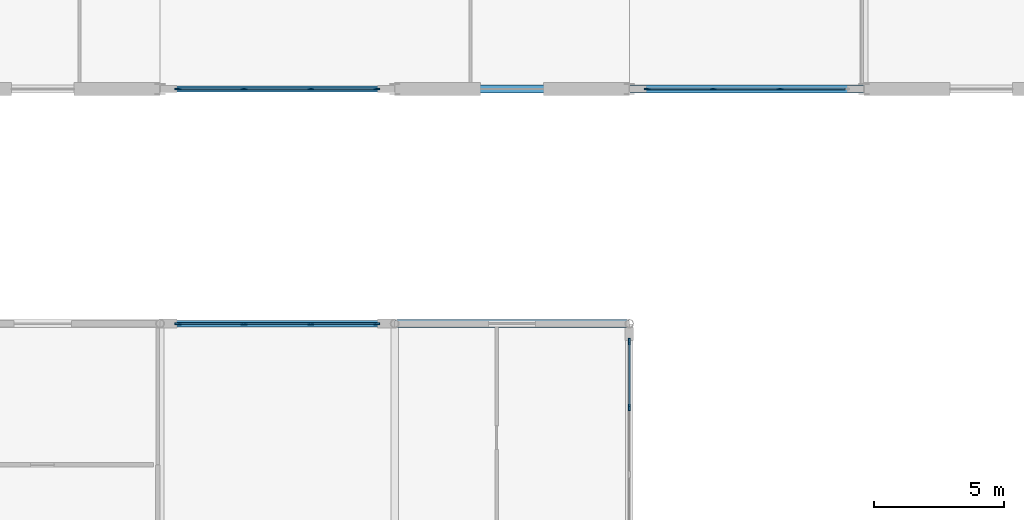
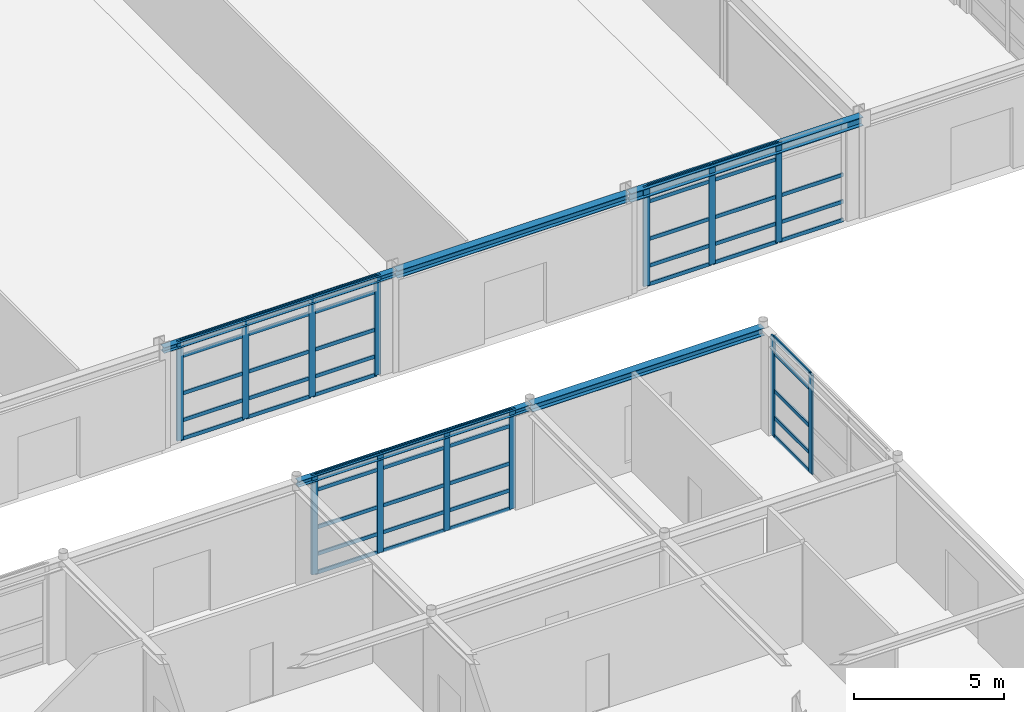
# One storey, part 43 of 72: 61 members, 5 beams, 4 elements without a shape of their own.
"""IFC4 building model written with IfcOpenShell, lengths in metres."""

from ifc_helpers import new_model, si_unit, direction, frame, origin, origin_2d, place, context, subcontext, project, spatial, rectangle, i_section, extrude, material, material_profile, profile_set, type_object, element, aggregate, save


model = new_model("IFC4")

# Units and contexts
model_context = context("Model", 3, precision=1e-05, world=origin(), true_north=direction((0.0, 1.0)))
body_context = subcontext(model_context, "Body", "Model", "MODEL_VIEW")
ifc_project = project(units=[si_unit("LENGTHUNIT", "METRE"), si_unit("AREAUNIT", "SQUARE_METRE"), si_unit("VOLUMEUNIT", "CUBIC_METRE"), si_unit("PLANEANGLEUNIT", "RADIAN"), si_unit("MASSUNIT", "GRAM", prefix="KILO")], contexts=[model_context])

# Site, building, storey
site_placement = place(None, origin())
site = spatial("IfcSite", under=ifc_project, at=site_placement, CompositionType="ELEMENT")
building_placement = place(site_placement, origin())
building = spatial("IfcBuilding", under=site, at=building_placement, Name="Palais des Congres Ocreval", CompositionType="ELEMENT")
storey_placement = place(building_placement, origin())
storey = spatial("IfcBuildingStorey", under=building, at=storey_placement, Name="L00", CompositionType="ELEMENT", Elevation=0.0)

# Curtain wall, members
ifc_material_1 = material(Name="Anodized bronze aluminium and low-E glass", Category="glass")
curtain_wall_type = type_object("IfcCurtainWallType", Name="Unitised Curtain Wall 7900x4060", PredefinedType="USERDEFINED", material=ifc_material_1)
curtain_wall_1_placement = place(storey_placement, origin())
curtain_wall_1 = element("IfcCurtainWall", 1, at=curtain_wall_1_placement, inside=storey, type_object=curtain_wall_type, Name="Unitised Curtain Wall CW01 L00", ObjectType="UNITISED CURTAIN WALL", PredefinedType="USERDEFINED")
ifc_material_2 = material(Name="Anodized bronze aluminium", Category="aluminium")
ifc_material_profile_1 = material_profile(ifc_material_2, rectangle(XDim=0.074951171875, YDim=0.239990234375, at=origin_2d()), Name="ALU 75x240")
ifc_profile_set_1 = profile_set([ifc_material_profile_1], Name="Anodized bronze aluminium")
member_type_1 = type_object("IfcMemberType", Name="Curtain Wall Mullion ALU 75x240", PredefinedType="MULLION", material=ifc_profile_set_1)
member_1_placement = place(storey_placement, frame((149.783203125, 72.0, 0.0), z_axis=(0.0, 0.0, 1.0), x_axis=(0.0, -1.0, 0.0)))
member_1 = element("IfcMember", 2, at=member_1_placement, type_object=member_type_1, Name="Curtain Wall Mullion ML01", PredefinedType="MULLION", context=body_context, shape_type="SweptSolid", body=[
    extrude(rectangle(XDim=0.074951171875, YDim=0.239990234375, at=origin_2d()), origin(), (0.0, 0.0, 1.0), 4.054931640625),
])
member_2_placement = place(storey_placement, frame((147.216796875, 72.0, 0.0), z_axis=(0.0, 0.0, 1.0), x_axis=(0.0, -1.0, 0.0)))
member_2 = element("IfcMember", 3, at=member_2_placement, type_object=member_type_1, Name="Curtain Wall Mullion ML01", PredefinedType="MULLION", context=body_context, shape_type="SweptSolid", body=[
    extrude(rectangle(XDim=0.074951171875, YDim=0.239990234375, at=origin_2d()), origin(), (0.0, 0.0, 1.0), 4.054931640625),
])
member_3_placement = place(storey_placement, frame((144.6875, 72.0, 0.0), z_axis=(0.0, 0.0, 1.0), x_axis=(0.0, -1.0, 0.0)))
member_3 = element("IfcMember", 4, at=member_3_placement, type_object=member_type_1, Name="Curtain Wall Mullion ML01", PredefinedType="MULLION", context=body_context, shape_type="SweptSolid", body=[
    extrude(rectangle(XDim=0.074951171875, YDim=0.239990234375, at=origin_2d()), origin(), (0.0, 0.0, 1.0), 4.054931640625),
])

curtain_wall_2_placement = place(storey_placement, origin())
curtain_wall_2 = element("IfcCurtainWall", 5, at=curtain_wall_2_placement, inside=storey, type_object=curtain_wall_type, Name="Unitised Curtain Wall CW01 L00", ObjectType="UNITISED CURTAIN WALL", PredefinedType="USERDEFINED")
member_4_placement = place(storey_placement, frame((134.3125, 72.0, 0.0), z_axis=(0.0, 0.0, 1.0), x_axis=(0.0, -1.0, 0.0)))
member_4 = element("IfcMember", 6, at=member_4_placement, type_object=member_type_1, Name="Curtain Wall Mullion ML01", PredefinedType="MULLION", context=body_context, shape_type="SweptSolid", body=[
    extrude(rectangle(XDim=0.074951171875, YDim=0.239990234375, at=origin_2d()), origin(), (0.0, 0.0, 1.0), 4.054931640625),
])
member_5_placement = place(storey_placement, frame((131.783203125, 72.0, 0.0), z_axis=(0.0, 0.0, 1.0), x_axis=(0.0, -1.0, 0.0)))
member_5 = element("IfcMember", 7, at=member_5_placement, type_object=member_type_1, Name="Curtain Wall Mullion ML01", PredefinedType="MULLION", context=body_context, shape_type="SweptSolid", body=[
    extrude(rectangle(XDim=0.074951171875, YDim=0.239990234375, at=origin_2d()), origin(), (0.0, 0.0, 1.0), 4.054931640625),
])
member_6_placement = place(storey_placement, frame((129.216796875, 72.0, 0.0), z_axis=(0.0, 0.0, 1.0), x_axis=(0.0, -1.0, 0.0)))
member_6 = element("IfcMember", 8, at=member_6_placement, type_object=member_type_1, Name="Curtain Wall Mullion ML01", PredefinedType="MULLION", context=body_context, shape_type="SweptSolid", body=[
    extrude(rectangle(XDim=0.074951171875, YDim=0.239990234375, at=origin_2d()), origin(), (0.0, 0.0, 1.0), 4.054931640625),
])
member_7_placement = place(storey_placement, frame((126.6875, 72.0, 0.0), z_axis=(0.0, 0.0, 1.0), x_axis=(0.0, -1.0, 0.0)))
member_7 = element("IfcMember", 9, at=member_7_placement, type_object=member_type_1, Name="Curtain Wall Mullion ML01", PredefinedType="MULLION", context=body_context, shape_type="SweptSolid", body=[
    extrude(rectangle(XDim=0.074951171875, YDim=0.239990234375, at=origin_2d()), origin(), (0.0, 0.0, 1.0), 4.054931640625),
])

curtain_wall_3_placement = place(storey_placement, origin())
curtain_wall_3 = element("IfcCurtainWall", 10, at=curtain_wall_3_placement, inside=storey, type_object=curtain_wall_type, Name="Unitised Curtain Wall CW01 L00", ObjectType="UNITISED CURTAIN WALL", PredefinedType="USERDEFINED")
member_8_placement = place(storey_placement, frame((126.6875, 63.0, 0.0), z_axis=(0.0, 0.0, 1.0), x_axis=(0.0, 1.0, 0.0)))
member_8 = element("IfcMember", 11, at=member_8_placement, type_object=member_type_1, Name="Curtain Wall Mullion ML01", PredefinedType="MULLION", context=body_context, shape_type="SweptSolid", body=[
    extrude(rectangle(XDim=0.074951171875, YDim=0.239990234375, at=origin_2d()), origin(), (0.0, 0.0, 1.0), 4.054931640625),
])
member_9_placement = place(storey_placement, frame((129.216796875, 63.0, 0.0), z_axis=(0.0, 0.0, 1.0), x_axis=(0.0, 1.0, 0.0)))
member_9 = element("IfcMember", 12, at=member_9_placement, type_object=member_type_1, Name="Curtain Wall Mullion ML01", PredefinedType="MULLION", context=body_context, shape_type="SweptSolid", body=[
    extrude(rectangle(XDim=0.074951171875, YDim=0.239990234375, at=origin_2d()), origin(), (0.0, 0.0, 1.0), 4.054931640625),
])
member_10_placement = place(storey_placement, frame((131.783203125, 63.0, 0.0), z_axis=(0.0, 0.0, 1.0), x_axis=(0.0, 1.0, 0.0)))
member_10 = element("IfcMember", 13, at=member_10_placement, type_object=member_type_1, Name="Curtain Wall Mullion ML01", PredefinedType="MULLION", context=body_context, shape_type="SweptSolid", body=[
    extrude(rectangle(XDim=0.074951171875, YDim=0.239990234375, at=origin_2d()), origin(), (0.0, 0.0, 1.0), 4.054931640625),
])
member_11_placement = place(storey_placement, frame((134.3125, 63.0, 0.0), z_axis=(0.0, 0.0, 1.0), x_axis=(0.0, 1.0, 0.0)))
member_11 = element("IfcMember", 14, at=member_11_placement, type_object=member_type_1, Name="Curtain Wall Mullion ML01", PredefinedType="MULLION", context=body_context, shape_type="SweptSolid", body=[
    extrude(rectangle(XDim=0.074951171875, YDim=0.239990234375, at=origin_2d()), origin(), (0.0, 0.0, 1.0), 4.054931640625),
])

curtain_wall_4_placement = place(storey_placement, origin())
curtain_wall_4 = element("IfcCurtainWall", 15, at=curtain_wall_4_placement, inside=storey, type_object=curtain_wall_type, Name="Unitised Curtain Wall CW01 L00", ObjectType="UNITISED CURTAIN WALL", PredefinedType="USERDEFINED")
member_12_placement = place(storey_placement, frame((144.0, 62.3125, 0.0), z_axis=(0.0, 0.0, 1.0), x_axis=(1.0, 0.0, 0.0)))
member_12 = element("IfcMember", 16, at=member_12_placement, type_object=member_type_1, Name="Curtain Wall Mullion ML01", PredefinedType="MULLION", context=body_context, shape_type="SweptSolid", body=[
    extrude(rectangle(XDim=0.074951171875, YDim=0.239990234375, at=origin_2d()), origin(), (0.0, 0.0, 1.0), 4.054931640625),
])
member_13_placement = place(storey_placement, frame((144.0, 59.783203125, 0.0), z_axis=(0.0, 0.0, 1.0), x_axis=(1.0, 0.0, 0.0)))
member_13 = element("IfcMember", 17, at=member_13_placement, type_object=member_type_1, Name="Curtain Wall Mullion ML01", PredefinedType="MULLION", context=body_context, shape_type="SweptSolid", body=[
    extrude(rectangle(XDim=0.074951171875, YDim=0.239990234375, at=origin_2d()), origin(), (0.0, 0.0, 1.0), 4.054931640625),
])

# Member
ifc_material_profile_2 = material_profile(ifc_material_2, rectangle(XDim=0.06005859375, YDim=0.14990234375, at=origin_2d()), Name="ALU 60x150")
ifc_profile_set_2 = profile_set([ifc_material_profile_2], Name="Anodized bronze aluminium")
member_type_2 = type_object("IfcMemberType", Name="Curtain Wall Transom ALU 60x150", PredefinedType="USERDEFINED", material=ifc_profile_set_2)
member_14_placement = place(storey_placement, frame((152.27490234375, 72.0, 0.030029296875), z_axis=(-1.0, 0.0, 0.0), x_axis=(0.0, -1.0, 0.0)))
member_14 = element("IfcMember", 18, at=member_14_placement, type_object=member_type_2, Name="Curtain Wall Transom TR01", ObjectType="TRANSOM", PredefinedType="USERDEFINED", context=body_context, shape_type="SweptSolid", body=[
    extrude(rectangle(XDim=0.06005859375, YDim=0.14990234375, at=origin_2d()), origin(), (0.0, 0.0, 1.0), 2.4541015625),
])

member_15_placement = place(storey_placement, frame((152.27490234375, 72.0, 0.780029296875), z_axis=(-1.0, 0.0, 0.0), x_axis=(0.0, -1.0, 0.0)))
member_15 = element("IfcMember", 19, at=member_15_placement, type_object=member_type_2, Name="Curtain Wall Transom TR01", ObjectType="TRANSOM", PredefinedType="USERDEFINED", context=body_context, shape_type="SweptSolid", body=[
    extrude(rectangle(XDim=0.06005859375, YDim=0.14990234375, at=origin_2d()), origin(), (0.0, 0.0, 1.0), 2.4541015625),
])

member_16_placement = place(storey_placement, frame((152.27490234375, 72.0, 1.872802734375), z_axis=(-1.0, 0.0, 0.0), x_axis=(0.0, -1.0, 0.0)))
member_16 = element("IfcMember", 20, at=member_16_placement, type_object=member_type_2, Name="Curtain Wall Transom TR01", ObjectType="TRANSOM", PredefinedType="USERDEFINED", context=body_context, shape_type="SweptSolid", body=[
    extrude(rectangle(XDim=0.06005859375, YDim=0.14990234375, at=origin_2d()), origin(), (0.0, 0.0, 1.0), 2.4541015625),
])

member_17_placement = place(storey_placement, frame((149.745849609375, 72.0, 0.030029296875), z_axis=(-1.0, 0.0, 0.0), x_axis=(0.0, -1.0, 0.0)))
member_17 = element("IfcMember", 21, at=member_17_placement, type_object=member_type_2, Name="Curtain Wall Transom TR01", ObjectType="TRANSOM", PredefinedType="USERDEFINED", context=body_context, shape_type="SweptSolid", body=[
    extrude(rectangle(XDim=0.06005859375, YDim=0.14990234375, at=origin_2d()), origin(), (0.0, 0.0, 1.0), 2.49169921875),
])

member_18_placement = place(storey_placement, frame((149.745849609375, 72.0, 0.780029296875), z_axis=(-1.0, 0.0, 0.0), x_axis=(0.0, -1.0, 0.0)))
member_18 = element("IfcMember", 22, at=member_18_placement, type_object=member_type_2, Name="Curtain Wall Transom TR01", ObjectType="TRANSOM", PredefinedType="USERDEFINED", context=body_context, shape_type="SweptSolid", body=[
    extrude(rectangle(XDim=0.06005859375, YDim=0.14990234375, at=origin_2d()), origin(), (0.0, 0.0, 1.0), 2.49169921875),
])

member_19_placement = place(storey_placement, frame((149.745849609375, 72.0, 1.872802734375), z_axis=(-1.0, 0.0, 0.0), x_axis=(0.0, -1.0, 0.0)))
member_19 = element("IfcMember", 23, at=member_19_placement, type_object=member_type_2, Name="Curtain Wall Transom TR01", ObjectType="TRANSOM", PredefinedType="USERDEFINED", context=body_context, shape_type="SweptSolid", body=[
    extrude(rectangle(XDim=0.06005859375, YDim=0.14990234375, at=origin_2d()), origin(), (0.0, 0.0, 1.0), 2.49169921875),
])

member_20_placement = place(storey_placement, frame((149.745849609375, 72.0, 3.405029296875), z_axis=(-1.0, 0.0, 0.0), x_axis=(0.0, -1.0, 0.0)))
member_20 = element("IfcMember", 24, at=member_20_placement, type_object=member_type_2, Name="Curtain Wall Transom TR01", ObjectType="TRANSOM", PredefinedType="USERDEFINED", context=body_context, shape_type="SweptSolid", body=[
    extrude(rectangle(XDim=0.06005859375, YDim=0.14990234375, at=origin_2d()), origin(), (0.0, 0.0, 1.0), 2.49169921875),
])

member_21_placement = place(storey_placement, frame((149.745849609375, 72.0, 4.02490234375), z_axis=(-1.0, 0.0, 0.0), x_axis=(0.0, -1.0, 0.0)))
member_21 = element("IfcMember", 25, at=member_21_placement, type_object=member_type_2, Name="Curtain Wall Transom TR01", ObjectType="TRANSOM", PredefinedType="USERDEFINED", context=body_context, shape_type="SweptSolid", body=[
    extrude(rectangle(XDim=0.06005859375, YDim=0.14990234375, at=origin_2d()), origin(), (0.0, 0.0, 1.0), 2.49169921875),
])

member_22_placement = place(storey_placement, frame((147.17919921875, 72.0, 0.030029296875), z_axis=(-1.0, 0.0, 0.0), x_axis=(0.0, -1.0, 0.0)))
member_22 = element("IfcMember", 26, at=member_22_placement, type_object=member_type_2, Name="Curtain Wall Transom TR01", ObjectType="TRANSOM", PredefinedType="USERDEFINED", context=body_context, shape_type="SweptSolid", body=[
    extrude(rectangle(XDim=0.06005859375, YDim=0.14990234375, at=origin_2d()), origin(), (0.0, 0.0, 1.0), 2.4541015625),
])

member_23_placement = place(storey_placement, frame((147.17919921875, 72.0, 0.780029296875), z_axis=(-1.0, 0.0, 0.0), x_axis=(0.0, -1.0, 0.0)))
member_23 = element("IfcMember", 27, at=member_23_placement, type_object=member_type_2, Name="Curtain Wall Transom TR01", ObjectType="TRANSOM", PredefinedType="USERDEFINED", context=body_context, shape_type="SweptSolid", body=[
    extrude(rectangle(XDim=0.06005859375, YDim=0.14990234375, at=origin_2d()), origin(), (0.0, 0.0, 1.0), 2.4541015625),
])

member_24_placement = place(storey_placement, frame((147.17919921875, 72.0, 1.872802734375), z_axis=(-1.0, 0.0, 0.0), x_axis=(0.0, -1.0, 0.0)))
member_24 = element("IfcMember", 28, at=member_24_placement, type_object=member_type_2, Name="Curtain Wall Transom TR01", ObjectType="TRANSOM", PredefinedType="USERDEFINED", context=body_context, shape_type="SweptSolid", body=[
    extrude(rectangle(XDim=0.06005859375, YDim=0.14990234375, at=origin_2d()), origin(), (0.0, 0.0, 1.0), 2.4541015625),
])

member_25_placement = place(storey_placement, frame((147.17919921875, 72.0, 3.405029296875), z_axis=(-1.0, 0.0, 0.0), x_axis=(0.0, -1.0, 0.0)))
member_25 = element("IfcMember", 29, at=member_25_placement, type_object=member_type_2, Name="Curtain Wall Transom TR01", ObjectType="TRANSOM", PredefinedType="USERDEFINED", context=body_context, shape_type="SweptSolid", body=[
    extrude(rectangle(XDim=0.06005859375, YDim=0.14990234375, at=origin_2d()), origin(), (0.0, 0.0, 1.0), 2.4541015625),
])

member_26_placement = place(storey_placement, frame((147.17919921875, 72.0, 4.02490234375), z_axis=(-1.0, 0.0, 0.0), x_axis=(0.0, -1.0, 0.0)))
member_26 = element("IfcMember", 30, at=member_26_placement, type_object=member_type_2, Name="Curtain Wall Transom TR01", ObjectType="TRANSOM", PredefinedType="USERDEFINED", context=body_context, shape_type="SweptSolid", body=[
    extrude(rectangle(XDim=0.06005859375, YDim=0.14990234375, at=origin_2d()), origin(), (0.0, 0.0, 1.0), 2.4541015625),
])

aggregate(curtain_wall_1, [member_1, member_2, member_3, member_14, member_15, member_16, member_17, member_18, member_19, member_20, member_21, member_22, member_23, member_24, member_25, member_26])

member_27_placement = place(storey_placement, frame((134.27490234375, 72.0, 0.030029296875), z_axis=(-1.0, 0.0, 0.0), x_axis=(0.0, -1.0, 0.0)))
member_27 = element("IfcMember", 31, at=member_27_placement, type_object=member_type_2, Name="Curtain Wall Transom TR01", ObjectType="TRANSOM", PredefinedType="USERDEFINED", context=body_context, shape_type="SweptSolid", body=[
    extrude(rectangle(XDim=0.06005859375, YDim=0.14990234375, at=origin_2d()), origin(), (0.0, 0.0, 1.0), 2.4541015625),
])

member_28_placement = place(storey_placement, frame((134.27490234375, 72.0, 0.780029296875), z_axis=(-1.0, 0.0, 0.0), x_axis=(0.0, -1.0, 0.0)))
member_28 = element("IfcMember", 32, at=member_28_placement, type_object=member_type_2, Name="Curtain Wall Transom TR01", ObjectType="TRANSOM", PredefinedType="USERDEFINED", context=body_context, shape_type="SweptSolid", body=[
    extrude(rectangle(XDim=0.06005859375, YDim=0.14990234375, at=origin_2d()), origin(), (0.0, 0.0, 1.0), 2.4541015625),
])

member_29_placement = place(storey_placement, frame((134.27490234375, 72.0, 1.872802734375), z_axis=(-1.0, 0.0, 0.0), x_axis=(0.0, -1.0, 0.0)))
member_29 = element("IfcMember", 33, at=member_29_placement, type_object=member_type_2, Name="Curtain Wall Transom TR01", ObjectType="TRANSOM", PredefinedType="USERDEFINED", context=body_context, shape_type="SweptSolid", body=[
    extrude(rectangle(XDim=0.06005859375, YDim=0.14990234375, at=origin_2d()), origin(), (0.0, 0.0, 1.0), 2.4541015625),
])

member_30_placement = place(storey_placement, frame((134.27490234375, 72.0, 3.405029296875), z_axis=(-1.0, 0.0, 0.0), x_axis=(0.0, -1.0, 0.0)))
member_30 = element("IfcMember", 34, at=member_30_placement, type_object=member_type_2, Name="Curtain Wall Transom TR01", ObjectType="TRANSOM", PredefinedType="USERDEFINED", context=body_context, shape_type="SweptSolid", body=[
    extrude(rectangle(XDim=0.06005859375, YDim=0.14990234375, at=origin_2d()), origin(), (0.0, 0.0, 1.0), 2.4541015625),
])

member_31_placement = place(storey_placement, frame((134.27490234375, 72.0, 4.02490234375), z_axis=(-1.0, 0.0, 0.0), x_axis=(0.0, -1.0, 0.0)))
member_31 = element("IfcMember", 35, at=member_31_placement, type_object=member_type_2, Name="Curtain Wall Transom TR01", ObjectType="TRANSOM", PredefinedType="USERDEFINED", context=body_context, shape_type="SweptSolid", body=[
    extrude(rectangle(XDim=0.06005859375, YDim=0.14990234375, at=origin_2d()), origin(), (0.0, 0.0, 1.0), 2.4541015625),
])

member_32_placement = place(storey_placement, frame((131.745849609375, 72.0, 0.030029296875), z_axis=(-1.0, 0.0, 0.0), x_axis=(0.0, -1.0, 0.0)))
member_32 = element("IfcMember", 36, at=member_32_placement, type_object=member_type_2, Name="Curtain Wall Transom TR01", ObjectType="TRANSOM", PredefinedType="USERDEFINED", context=body_context, shape_type="SweptSolid", body=[
    extrude(rectangle(XDim=0.06005859375, YDim=0.14990234375, at=origin_2d()), origin(), (0.0, 0.0, 1.0), 2.49169921875),
])

member_33_placement = place(storey_placement, frame((131.745849609375, 72.0, 0.780029296875), z_axis=(-1.0, 0.0, 0.0), x_axis=(0.0, -1.0, 0.0)))
member_33 = element("IfcMember", 37, at=member_33_placement, type_object=member_type_2, Name="Curtain Wall Transom TR01", ObjectType="TRANSOM", PredefinedType="USERDEFINED", context=body_context, shape_type="SweptSolid", body=[
    extrude(rectangle(XDim=0.06005859375, YDim=0.14990234375, at=origin_2d()), origin(), (0.0, 0.0, 1.0), 2.49169921875),
])

member_34_placement = place(storey_placement, frame((131.745849609375, 72.0, 1.872802734375), z_axis=(-1.0, 0.0, 0.0), x_axis=(0.0, -1.0, 0.0)))
member_34 = element("IfcMember", 38, at=member_34_placement, type_object=member_type_2, Name="Curtain Wall Transom TR01", ObjectType="TRANSOM", PredefinedType="USERDEFINED", context=body_context, shape_type="SweptSolid", body=[
    extrude(rectangle(XDim=0.06005859375, YDim=0.14990234375, at=origin_2d()), origin(), (0.0, 0.0, 1.0), 2.49169921875),
])

member_35_placement = place(storey_placement, frame((131.745849609375, 72.0, 3.405029296875), z_axis=(-1.0, 0.0, 0.0), x_axis=(0.0, -1.0, 0.0)))
member_35 = element("IfcMember", 39, at=member_35_placement, type_object=member_type_2, Name="Curtain Wall Transom TR01", ObjectType="TRANSOM", PredefinedType="USERDEFINED", context=body_context, shape_type="SweptSolid", body=[
    extrude(rectangle(XDim=0.06005859375, YDim=0.14990234375, at=origin_2d()), origin(), (0.0, 0.0, 1.0), 2.49169921875),
])

member_36_placement = place(storey_placement, frame((131.745849609375, 72.0, 4.02490234375), z_axis=(-1.0, 0.0, 0.0), x_axis=(0.0, -1.0, 0.0)))
member_36 = element("IfcMember", 40, at=member_36_placement, type_object=member_type_2, Name="Curtain Wall Transom TR01", ObjectType="TRANSOM", PredefinedType="USERDEFINED", context=body_context, shape_type="SweptSolid", body=[
    extrude(rectangle(XDim=0.06005859375, YDim=0.14990234375, at=origin_2d()), origin(), (0.0, 0.0, 1.0), 2.49169921875),
])

member_37_placement = place(storey_placement, frame((129.17919921875, 72.0, 0.030029296875), z_axis=(-1.0, 0.0, 0.0), x_axis=(0.0, -1.0, 0.0)))
member_37 = element("IfcMember", 41, at=member_37_placement, type_object=member_type_2, Name="Curtain Wall Transom TR01", ObjectType="TRANSOM", PredefinedType="USERDEFINED", context=body_context, shape_type="SweptSolid", body=[
    extrude(rectangle(XDim=0.06005859375, YDim=0.14990234375, at=origin_2d()), origin(), (0.0, 0.0, 1.0), 2.4541015625),
])

member_38_placement = place(storey_placement, frame((129.17919921875, 72.0, 0.780029296875), z_axis=(-1.0, 0.0, 0.0), x_axis=(0.0, -1.0, 0.0)))
member_38 = element("IfcMember", 42, at=member_38_placement, type_object=member_type_2, Name="Curtain Wall Transom TR01", ObjectType="TRANSOM", PredefinedType="USERDEFINED", context=body_context, shape_type="SweptSolid", body=[
    extrude(rectangle(XDim=0.06005859375, YDim=0.14990234375, at=origin_2d()), origin(), (0.0, 0.0, 1.0), 2.4541015625),
])

member_39_placement = place(storey_placement, frame((129.17919921875, 72.0, 1.872802734375), z_axis=(-1.0, 0.0, 0.0), x_axis=(0.0, -1.0, 0.0)))
member_39 = element("IfcMember", 43, at=member_39_placement, type_object=member_type_2, Name="Curtain Wall Transom TR01", ObjectType="TRANSOM", PredefinedType="USERDEFINED", context=body_context, shape_type="SweptSolid", body=[
    extrude(rectangle(XDim=0.06005859375, YDim=0.14990234375, at=origin_2d()), origin(), (0.0, 0.0, 1.0), 2.4541015625),
])

member_40_placement = place(storey_placement, frame((129.17919921875, 72.0, 3.405029296875), z_axis=(-1.0, 0.0, 0.0), x_axis=(0.0, -1.0, 0.0)))
member_40 = element("IfcMember", 44, at=member_40_placement, type_object=member_type_2, Name="Curtain Wall Transom TR01", ObjectType="TRANSOM", PredefinedType="USERDEFINED", context=body_context, shape_type="SweptSolid", body=[
    extrude(rectangle(XDim=0.06005859375, YDim=0.14990234375, at=origin_2d()), origin(), (0.0, 0.0, 1.0), 2.4541015625),
])

member_41_placement = place(storey_placement, frame((129.17919921875, 72.0, 4.02490234375), z_axis=(-1.0, 0.0, 0.0), x_axis=(0.0, -1.0, 0.0)))
member_41 = element("IfcMember", 45, at=member_41_placement, type_object=member_type_2, Name="Curtain Wall Transom TR01", ObjectType="TRANSOM", PredefinedType="USERDEFINED", context=body_context, shape_type="SweptSolid", body=[
    extrude(rectangle(XDim=0.06005859375, YDim=0.14990234375, at=origin_2d()), origin(), (0.0, 0.0, 1.0), 2.4541015625),
])

aggregate(curtain_wall_2, [member_4, member_5, member_6, member_7, member_27, member_28, member_29, member_30, member_31, member_32, member_33, member_34, member_35, member_36, member_37, member_38, member_39, member_40, member_41])

member_42_placement = place(storey_placement, frame((126.72509765625, 63.0, 0.030029296875), z_axis=(1.0, 0.0, 0.0), x_axis=(0.0, 1.0, 0.0)))
member_42 = element("IfcMember", 46, at=member_42_placement, type_object=member_type_2, Name="Curtain Wall Transom TR01", ObjectType="TRANSOM", PredefinedType="USERDEFINED", context=body_context, shape_type="SweptSolid", body=[
    extrude(rectangle(XDim=0.06005859375, YDim=0.14990234375, at=origin_2d()), origin(), (0.0, 0.0, 1.0), 2.4541015625),
])

member_43_placement = place(storey_placement, frame((126.72509765625, 63.0, 0.780029296875), z_axis=(1.0, 0.0, 0.0), x_axis=(0.0, 1.0, 0.0)))
member_43 = element("IfcMember", 47, at=member_43_placement, type_object=member_type_2, Name="Curtain Wall Transom TR01", ObjectType="TRANSOM", PredefinedType="USERDEFINED", context=body_context, shape_type="SweptSolid", body=[
    extrude(rectangle(XDim=0.06005859375, YDim=0.14990234375, at=origin_2d()), origin(), (0.0, 0.0, 1.0), 2.4541015625),
])

member_44_placement = place(storey_placement, frame((126.72509765625, 63.0, 1.872802734375), z_axis=(1.0, 0.0, 0.0), x_axis=(0.0, 1.0, 0.0)))
member_44 = element("IfcMember", 48, at=member_44_placement, type_object=member_type_2, Name="Curtain Wall Transom TR01", ObjectType="TRANSOM", PredefinedType="USERDEFINED", context=body_context, shape_type="SweptSolid", body=[
    extrude(rectangle(XDim=0.06005859375, YDim=0.14990234375, at=origin_2d()), origin(), (0.0, 0.0, 1.0), 2.4541015625),
])

member_45_placement = place(storey_placement, frame((126.72509765625, 63.0, 3.405029296875), z_axis=(1.0, 0.0, 0.0), x_axis=(0.0, 1.0, 0.0)))
member_45 = element("IfcMember", 49, at=member_45_placement, type_object=member_type_2, Name="Curtain Wall Transom TR01", ObjectType="TRANSOM", PredefinedType="USERDEFINED", context=body_context, shape_type="SweptSolid", body=[
    extrude(rectangle(XDim=0.06005859375, YDim=0.14990234375, at=origin_2d()), origin(), (0.0, 0.0, 1.0), 2.4541015625),
])

member_46_placement = place(storey_placement, frame((126.72509765625, 63.0, 4.02490234375), z_axis=(1.0, 0.0, 0.0), x_axis=(0.0, 1.0, 0.0)))
member_46 = element("IfcMember", 50, at=member_46_placement, type_object=member_type_2, Name="Curtain Wall Transom TR01", ObjectType="TRANSOM", PredefinedType="USERDEFINED", context=body_context, shape_type="SweptSolid", body=[
    extrude(rectangle(XDim=0.06005859375, YDim=0.14990234375, at=origin_2d()), origin(), (0.0, 0.0, 1.0), 2.4541015625),
])

member_47_placement = place(storey_placement, frame((129.254150390625, 63.0, 0.030029296875), z_axis=(1.0, 0.0, 0.0), x_axis=(0.0, 1.0, 0.0)))
member_47 = element("IfcMember", 51, at=member_47_placement, type_object=member_type_2, Name="Curtain Wall Transom TR01", ObjectType="TRANSOM", PredefinedType="USERDEFINED", context=body_context, shape_type="SweptSolid", body=[
    extrude(rectangle(XDim=0.06005859375, YDim=0.14990234375, at=origin_2d()), origin(), (0.0, 0.0, 1.0), 2.49169921875),
])

member_48_placement = place(storey_placement, frame((129.254150390625, 63.0, 0.780029296875), z_axis=(1.0, 0.0, 0.0), x_axis=(0.0, 1.0, 0.0)))
member_48 = element("IfcMember", 52, at=member_48_placement, type_object=member_type_2, Name="Curtain Wall Transom TR01", ObjectType="TRANSOM", PredefinedType="USERDEFINED", context=body_context, shape_type="SweptSolid", body=[
    extrude(rectangle(XDim=0.06005859375, YDim=0.14990234375, at=origin_2d()), origin(), (0.0, 0.0, 1.0), 2.49169921875),
])

member_49_placement = place(storey_placement, frame((129.254150390625, 63.0, 1.872802734375), z_axis=(1.0, 0.0, 0.0), x_axis=(0.0, 1.0, 0.0)))
member_49 = element("IfcMember", 53, at=member_49_placement, type_object=member_type_2, Name="Curtain Wall Transom TR01", ObjectType="TRANSOM", PredefinedType="USERDEFINED", context=body_context, shape_type="SweptSolid", body=[
    extrude(rectangle(XDim=0.06005859375, YDim=0.14990234375, at=origin_2d()), origin(), (0.0, 0.0, 1.0), 2.49169921875),
])

member_50_placement = place(storey_placement, frame((129.254150390625, 63.0, 3.405029296875), z_axis=(1.0, 0.0, 0.0), x_axis=(0.0, 1.0, 0.0)))
member_50 = element("IfcMember", 54, at=member_50_placement, type_object=member_type_2, Name="Curtain Wall Transom TR01", ObjectType="TRANSOM", PredefinedType="USERDEFINED", context=body_context, shape_type="SweptSolid", body=[
    extrude(rectangle(XDim=0.06005859375, YDim=0.14990234375, at=origin_2d()), origin(), (0.0, 0.0, 1.0), 2.49169921875),
])

member_51_placement = place(storey_placement, frame((129.254150390625, 63.0, 4.02490234375), z_axis=(1.0, 0.0, 0.0), x_axis=(0.0, 1.0, 0.0)))
member_51 = element("IfcMember", 55, at=member_51_placement, type_object=member_type_2, Name="Curtain Wall Transom TR01", ObjectType="TRANSOM", PredefinedType="USERDEFINED", context=body_context, shape_type="SweptSolid", body=[
    extrude(rectangle(XDim=0.06005859375, YDim=0.14990234375, at=origin_2d()), origin(), (0.0, 0.0, 1.0), 2.49169921875),
])

member_52_placement = place(storey_placement, frame((131.82080078125, 63.0, 0.030029296875), z_axis=(1.0, 0.0, 0.0), x_axis=(0.0, 1.0, 0.0)))
member_52 = element("IfcMember", 56, at=member_52_placement, type_object=member_type_2, Name="Curtain Wall Transom TR01", ObjectType="TRANSOM", PredefinedType="USERDEFINED", context=body_context, shape_type="SweptSolid", body=[
    extrude(rectangle(XDim=0.06005859375, YDim=0.14990234375, at=origin_2d()), origin(), (0.0, 0.0, 1.0), 2.4541015625),
])

member_53_placement = place(storey_placement, frame((131.82080078125, 63.0, 0.780029296875), z_axis=(1.0, 0.0, 0.0), x_axis=(0.0, 1.0, 0.0)))
member_53 = element("IfcMember", 57, at=member_53_placement, type_object=member_type_2, Name="Curtain Wall Transom TR01", ObjectType="TRANSOM", PredefinedType="USERDEFINED", context=body_context, shape_type="SweptSolid", body=[
    extrude(rectangle(XDim=0.06005859375, YDim=0.14990234375, at=origin_2d()), origin(), (0.0, 0.0, 1.0), 2.4541015625),
])

member_54_placement = place(storey_placement, frame((131.82080078125, 63.0, 1.872802734375), z_axis=(1.0, 0.0, 0.0), x_axis=(0.0, 1.0, 0.0)))
member_54 = element("IfcMember", 58, at=member_54_placement, type_object=member_type_2, Name="Curtain Wall Transom TR01", ObjectType="TRANSOM", PredefinedType="USERDEFINED", context=body_context, shape_type="SweptSolid", body=[
    extrude(rectangle(XDim=0.06005859375, YDim=0.14990234375, at=origin_2d()), origin(), (0.0, 0.0, 1.0), 2.4541015625),
])

member_55_placement = place(storey_placement, frame((131.82080078125, 63.0, 3.405029296875), z_axis=(1.0, 0.0, 0.0), x_axis=(0.0, 1.0, 0.0)))
member_55 = element("IfcMember", 59, at=member_55_placement, type_object=member_type_2, Name="Curtain Wall Transom TR01", ObjectType="TRANSOM", PredefinedType="USERDEFINED", context=body_context, shape_type="SweptSolid", body=[
    extrude(rectangle(XDim=0.06005859375, YDim=0.14990234375, at=origin_2d()), origin(), (0.0, 0.0, 1.0), 2.4541015625),
])

member_56_placement = place(storey_placement, frame((131.82080078125, 63.0, 4.02490234375), z_axis=(1.0, 0.0, 0.0), x_axis=(0.0, 1.0, 0.0)))
member_56 = element("IfcMember", 60, at=member_56_placement, type_object=member_type_2, Name="Curtain Wall Transom TR01", ObjectType="TRANSOM", PredefinedType="USERDEFINED", context=body_context, shape_type="SweptSolid", body=[
    extrude(rectangle(XDim=0.06005859375, YDim=0.14990234375, at=origin_2d()), origin(), (0.0, 0.0, 1.0), 2.4541015625),
])

aggregate(curtain_wall_3, [member_8, member_9, member_10, member_11, member_42, member_43, member_44, member_45, member_46, member_47, member_48, member_49, member_50, member_51, member_52, member_53, member_54, member_55, member_56])

member_57_placement = place(storey_placement, frame((144.0, 62.27490234375, 0.030029296875), z_axis=(0.0, -1.0, 0.0), x_axis=(1.0, 0.0, 0.0)))
member_57 = element("IfcMember", 61, at=member_57_placement, type_object=member_type_2, Name="Curtain Wall Transom TR01", ObjectType="TRANSOM", PredefinedType="USERDEFINED", context=body_context, shape_type="SweptSolid", body=[
    extrude(rectangle(XDim=0.06005859375, YDim=0.14990234375, at=origin_2d()), origin(), (0.0, 0.0, 1.0), 2.4541015625),
])

member_58_placement = place(storey_placement, frame((144.0, 62.27490234375, 0.780029296875), z_axis=(0.0, -1.0, 0.0), x_axis=(1.0, 0.0, 0.0)))
member_58 = element("IfcMember", 62, at=member_58_placement, type_object=member_type_2, Name="Curtain Wall Transom TR01", ObjectType="TRANSOM", PredefinedType="USERDEFINED", context=body_context, shape_type="SweptSolid", body=[
    extrude(rectangle(XDim=0.06005859375, YDim=0.14990234375, at=origin_2d()), origin(), (0.0, 0.0, 1.0), 2.4541015625),
])

member_59_placement = place(storey_placement, frame((144.0, 62.27490234375, 1.872802734375), z_axis=(0.0, -1.0, 0.0), x_axis=(1.0, 0.0, 0.0)))
member_59 = element("IfcMember", 63, at=member_59_placement, type_object=member_type_2, Name="Curtain Wall Transom TR01", ObjectType="TRANSOM", PredefinedType="USERDEFINED", context=body_context, shape_type="SweptSolid", body=[
    extrude(rectangle(XDim=0.06005859375, YDim=0.14990234375, at=origin_2d()), origin(), (0.0, 0.0, 1.0), 2.4541015625),
])

member_60_placement = place(storey_placement, frame((144.0, 62.27490234375, 3.405029296875), z_axis=(0.0, -1.0, 0.0), x_axis=(1.0, 0.0, 0.0)))
member_60 = element("IfcMember", 64, at=member_60_placement, type_object=member_type_2, Name="Curtain Wall Transom TR01", ObjectType="TRANSOM", PredefinedType="USERDEFINED", context=body_context, shape_type="SweptSolid", body=[
    extrude(rectangle(XDim=0.06005859375, YDim=0.14990234375, at=origin_2d()), origin(), (0.0, 0.0, 1.0), 2.4541015625),
])

member_61_placement = place(storey_placement, frame((144.0, 62.27490234375, 4.02490234375), z_axis=(0.0, -1.0, 0.0), x_axis=(1.0, 0.0, 0.0)))
member_61 = element("IfcMember", 65, at=member_61_placement, type_object=member_type_2, Name="Curtain Wall Transom TR01", ObjectType="TRANSOM", PredefinedType="USERDEFINED", context=body_context, shape_type="SweptSolid", body=[
    extrude(rectangle(XDim=0.06005859375, YDim=0.14990234375, at=origin_2d()), origin(), (0.0, 0.0, 1.0), 2.4541015625),
])

aggregate(curtain_wall_4, [member_12, member_13, member_57, member_58, member_59, member_60, member_61])

# Beams
ifc_material_3 = material(Name="Steel S355", Category="steel")
ifc_material_profile_3 = material_profile(ifc_material_3, i_section(OverallWidth=0.239990234375, OverallDepth=0.22998046875, WebThickness=0.007568359375, FlangeThickness=0.011962890625, at=origin_2d()), Name="HEA 240")
ifc_profile_set_3 = profile_set([ifc_material_profile_3], Name="Steel S355")
beam_type_1 = type_object("IfcBeamType", Name="Perimeter Spandrel HEA 240 Steel S355", PredefinedType="SPANDREL", material=ifc_profile_set_3)
for number, where, z_axis, x_axis, name in (
    (66, (126.02001953125, 63.0, 3.93994140625), (1.0, 0.0, 0.0), (0.0, 1.0, 0.0), "Beam SP01 L00"),
    (67, (126.02001953125, 72.0, 3.93994140625), (1.0, 0.0, 0.0), (0.0, 1.0, 0.0), "Beam SP01 L00"),
):
    element("IfcBeam", number, at=place(storey_placement, frame(where, z_axis=z_axis, x_axis=x_axis)), inside=storey, type_object=beam_type_1, Name=name, PredefinedType="SPANDREL", context=body_context, shape_type="SweptSolid", body=[
        extrude(i_section(OverallWidth=0.239990234375, OverallDepth=0.22998046875, WebThickness=0.007568359375, FlangeThickness=0.011962890625, at=origin_2d()), origin(), (0.0, 0.0, 1.0), 8.9599609375),
    ])
ifc_material_profile_4 = material_profile(ifc_material_3, i_section(OverallWidth=0.300048828125, OverallDepth=0.300048828125, WebThickness=0.010986328125, FlangeThickness=0.01904296875, at=origin_2d()), Name="HEB 300")
ifc_profile_set_4 = profile_set([ifc_material_profile_4], Name="Steel S355")
beam_type_2 = type_object("IfcBeamType", Name="Perimeter Spandrel HEB 300 Steel S355", PredefinedType="SPANDREL", material=ifc_profile_set_4)
for number, where, z_axis, x_axis, name in (
    (68, (135.02001953125, 63.0, 3.905029296875), (1.0, 0.0, 0.0), (0.0, 1.0, 0.0), "Beam SP02 L00"),
    (69, (135.02001953125, 72.0, 3.905029296875), (1.0, 0.0, 0.0), (0.0, 1.0, 0.0), "Beam SP02 L00"),
):
    element("IfcBeam", number, at=place(storey_placement, frame(where, z_axis=z_axis, x_axis=x_axis)), inside=storey, type_object=beam_type_2, Name=name, PredefinedType="SPANDREL", context=body_context, shape_type="SweptSolid", body=[
        extrude(i_section(OverallWidth=0.300048828125, OverallDepth=0.300048828125, WebThickness=0.010986328125, FlangeThickness=0.01904296875, at=origin_2d()), origin(), (0.0, 0.0, 1.0), 8.9599609375),
    ])
ifc_material_profile_5 = material_profile(ifc_material_3, i_section(OverallWidth=0.300048828125, OverallDepth=0.360107421875, WebThickness=0.012451171875, FlangeThickness=0.0224609375, at=origin_2d()), Name="HEB 360")
ifc_profile_set_5 = profile_set([ifc_material_profile_5], Name="Steel S355")
beam_type_3 = type_object("IfcBeamType", Name="Perimeter Spandrel HEB 360 Steel S355", PredefinedType="SPANDREL", material=ifc_profile_set_5)
beam_placement = place(storey_placement, frame((144.02001953125, 72.0, 3.875), z_axis=(1.0, 0.0, 0.0), x_axis=(0.0, 1.0, 0.0)))
element("IfcBeam", 70, at=beam_placement, inside=storey, type_object=beam_type_3, Name="Beam SP03 L00", PredefinedType="SPANDREL", context=body_context, shape_type="SweptSolid", body=[
    extrude(i_section(OverallWidth=0.300048828125, OverallDepth=0.360107421875, WebThickness=0.012451171875, FlangeThickness=0.0224609375, at=origin_2d()), origin(), (0.0, 0.0, 1.0), 8.9599609375),
])

save(model, "model.ifc")
